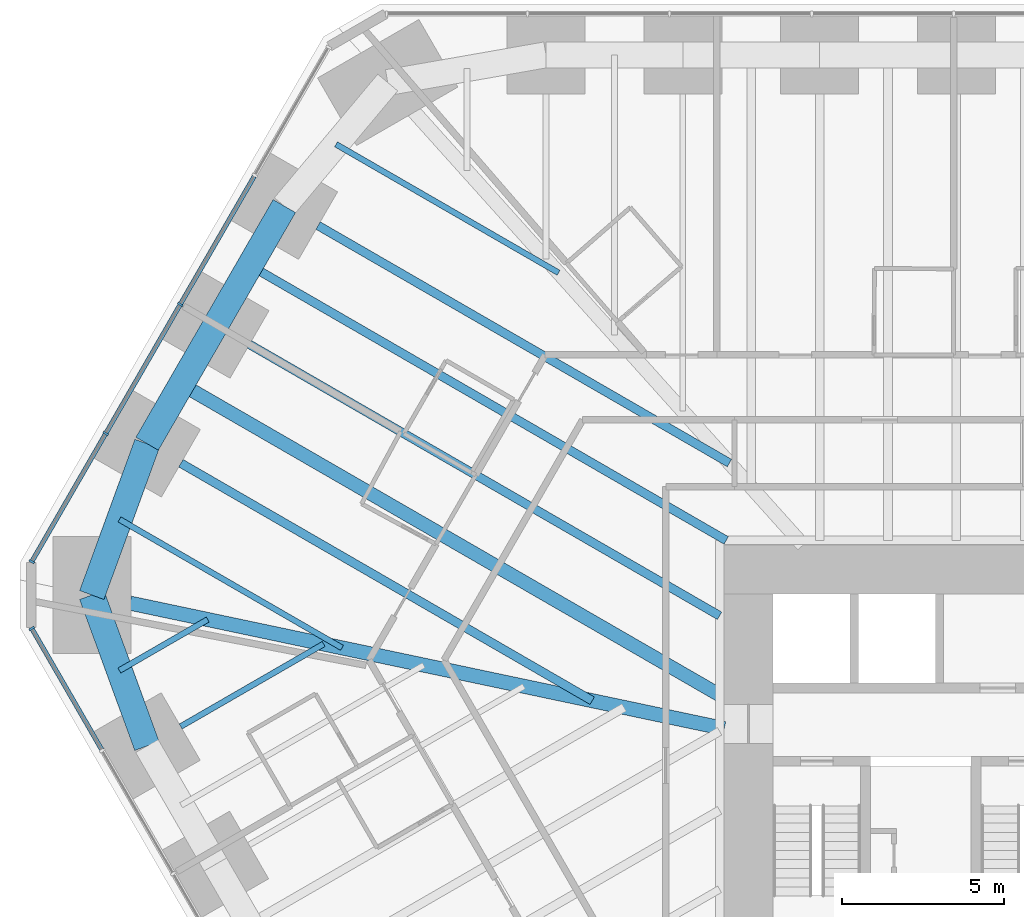
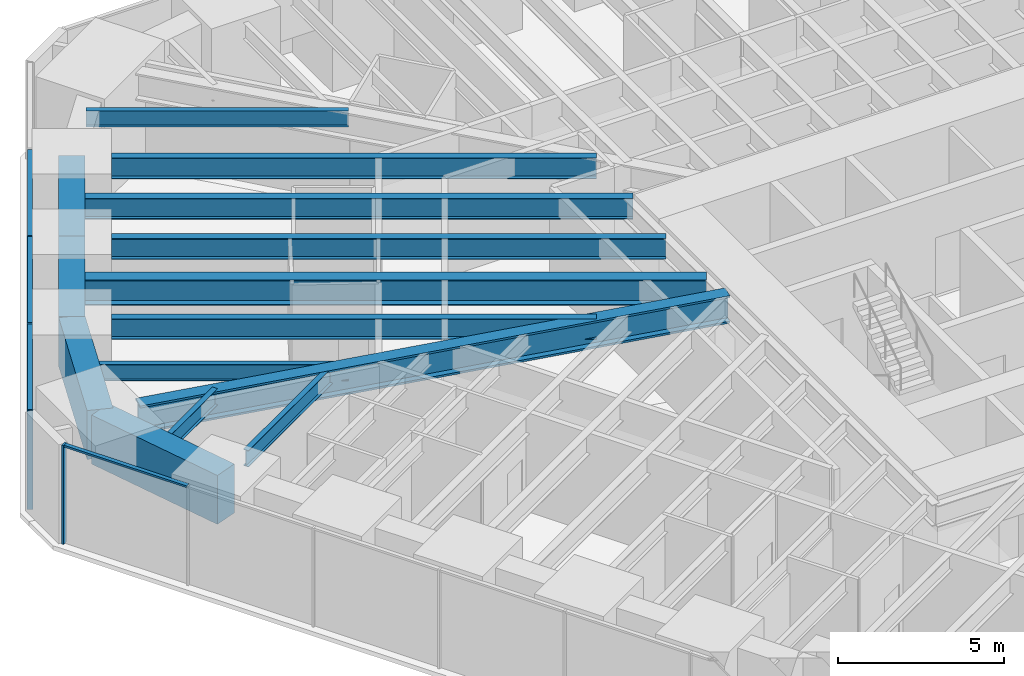
# One storey, part 7 of 17: 14 beams, 8 members, 2 elements without a shape of their own.
"""IFC4 building model written with IfcOpenShell, lengths in metres."""

from ifc_helpers import new_model, si_unit, direction, frame, origin, origin_2d, place, context, subcontext, project, spatial, rectangle, i_section, extrude, material, material_profile, profile_set, type_object, element, aggregate, save


model = new_model("IFC4")

# Units and contexts
model_context = context("Model", 3, precision=1e-05, world=origin(), true_north=direction((0.0, 1.0)))
body_context = subcontext(model_context, "Body", "Model", "MODEL_VIEW")
ifc_project = project(units=[si_unit("LENGTHUNIT", "METRE"), si_unit("AREAUNIT", "SQUARE_METRE"), si_unit("VOLUMEUNIT", "CUBIC_METRE"), si_unit("PLANEANGLEUNIT", "RADIAN"), si_unit("MASSUNIT", "GRAM", prefix="KILO")], contexts=[model_context])

# Site, building, storey
site_placement = place(None, origin())
site = spatial("IfcSite", under=ifc_project, at=site_placement, CompositionType="ELEMENT")
building_placement = place(site_placement, origin())
building = spatial("IfcBuilding", under=site, at=building_placement, Name="Sandreach Pilgrim Tower", CompositionType="ELEMENT")
storey_placement = place(building_placement, frame((0.0, 0.0, 26.800048828125)))
storey = spatial("IfcBuildingStorey", under=building, at=storey_placement, Name="L05", CompositionType="ELEMENT", Elevation=26.800048828125)

# Curtain wall, member
ifc_material_1 = material(Name="Aluminium framed curtain wall", Category="aluminium")
curtain_wall_type = type_object("IfcCurtainWallType", Name="Hostel tower curtain wall", PredefinedType="NOTDEFINED", material=ifc_material_1)
curtain_wall_1_placement = place(storey_placement, origin())
curtain_wall_1 = element("IfcCurtainWall", 1, at=curtain_wall_1_placement, inside=storey, type_object=curtain_wall_type, Name="CW-1 L05 SW", PredefinedType="NOTDEFINED")
ifc_material_2 = material(Name="Aluminium extrusion", Category="aluminium")
ifc_material_profile_1 = material_profile(ifc_material_2, rectangle(XDim=0.06494140625, YDim=0.179931640625, at=origin_2d()), Name="CW-1M 65X180")
ifc_profile_set_1 = profile_set([ifc_material_profile_1], Name="Aluminium extrusion")
member_type_1 = type_object("IfcMemberType", Name="CW-1 mullion", PredefinedType="MULLION", material=ifc_profile_set_1)
member_1_placement = place(storey_placement, frame((-30.56005859375, 5.033935546875, 0.0), z_axis=(0.0, 0.0, 1.0), x_axis=(-0.5, 0.866025403784, 0.0)))
member_1 = element("IfcMember", 2, at=member_1_placement, type_object=member_type_1, Name="CW-1 mullion 10", PredefinedType="MULLION", context=body_context, shape_type="SweptSolid", body=[
    extrude(rectangle(XDim=0.06494140625, YDim=0.179931640625, at=origin_2d()), origin(), (0.0, 0.0, 1.0), 3.639892578125),
])

# Curtain wall, members
curtain_wall_2_placement = place(storey_placement, origin())
curtain_wall_2 = element("IfcCurtainWall", 3, at=curtain_wall_2_placement, inside=storey, type_object=curtain_wall_type, Name="CW-1 L05 NW", PredefinedType="NOTDEFINED")
member_2_placement = place(storey_placement, frame((-30.56005859375, 7.09033203125, 0.0), z_axis=(0.0, 0.0, 1.0), x_axis=(0.5, 0.866025403784, 0.0)))
member_2 = element("IfcMember", 4, at=member_2_placement, type_object=member_type_1, Name="CW-1 mullion 1", PredefinedType="MULLION", context=body_context, shape_type="SweptSolid", body=[
    extrude(rectangle(XDim=0.06494140625, YDim=0.179931640625, at=origin_2d()), origin(), (0.0, 0.0, 1.0), 3.639892578125),
])
member_3_placement = place(storey_placement, frame((-28.283203125, 11.03369140625, 0.0), z_axis=(0.0, 0.0, 1.0), x_axis=(0.5, 0.866025403784, 0.0)))
member_3 = element("IfcMember", 5, at=member_3_placement, type_object=member_type_1, Name="CW-1 mullion 2", PredefinedType="MULLION", context=body_context, shape_type="SweptSolid", body=[
    extrude(rectangle(XDim=0.06494140625, YDim=0.179931640625, at=origin_2d()), origin(), (0.0, 0.0, 1.0), 3.639892578125),
])
member_4_placement = place(storey_placement, frame((-25.990234375, 15.00537109375, 0.0), z_axis=(0.0, 0.0, 1.0), x_axis=(0.5, 0.866025403784, 0.0)))
member_4 = element("IfcMember", 6, at=member_4_placement, type_object=member_type_1, Name="CW-1 mullion 3", PredefinedType="MULLION", context=body_context, shape_type="SweptSolid", body=[
    extrude(rectangle(XDim=0.06494140625, YDim=0.179931640625, at=origin_2d()), origin(), (0.0, 0.0, 1.0), 3.639892578125),
])

# Member
ifc_material_3 = material(Name="Aluminium extrusion", Category="aluminium")
ifc_material_profile_2 = material_profile(ifc_material_3, rectangle(XDim=0.139892578125, YDim=0.070068359375, at=origin_2d()), Name="CW-1T 140X70")
ifc_profile_set_2 = profile_set([ifc_material_profile_2], Name="Aluminium extrusion")
member_type_2 = type_object("IfcMemberType", Name="CW-1 transom", PredefinedType="USERDEFINED", material=ifc_profile_set_2)
member_5_placement = place(storey_placement, frame((-28.40673828125, 1.304443359375, 3.60498046875), z_axis=(-0.499991113271, 0.866030534479, 0.0), x_axis=(-0.866030534479, -0.499991113271, 0.0)))
member_5 = element("IfcMember", 7, at=member_5_placement, type_object=member_type_2, Name="CW-1 head transom 9", ObjectType="TRANSOM", PredefinedType="USERDEFINED", context=body_context, shape_type="SweptSolid", body=[
    extrude(rectangle(XDim=0.139892578125, YDim=0.070068359375, at=origin_2d()), origin(), (0.0, 0.0, 1.0), 4.27392578125),
])

aggregate(curtain_wall_1, [member_1, member_5])

member_6_placement = place(storey_placement, frame((-30.543701171875, 7.118408203125, 3.60498046875), z_axis=(0.499976706761, 0.866038851724, 0.0), x_axis=(-0.866038851724, 0.499976706761, 0.0)))
member_6 = element("IfcMember", 8, at=member_6_placement, type_object=member_type_2, Name="CW-1 head transom 1", ObjectType="TRANSOM", PredefinedType="USERDEFINED", context=body_context, shape_type="SweptSolid", body=[
    extrude(rectangle(XDim=0.139892578125, YDim=0.070068359375, at=origin_2d()), origin(), (0.0, 0.0, 1.0), 4.488525390625),
])

member_7_placement = place(storey_placement, frame((-28.266845703125, 11.06201171875, 3.60498046875), z_axis=(0.500001366228, 0.866024614991, 0.0), x_axis=(-0.866024614991, 0.500001366228, 0.0)))
member_7 = element("IfcMember", 9, at=member_7_placement, type_object=member_type_2, Name="CW-1 head transom 2", ObjectType="TRANSOM", PredefinedType="USERDEFINED", context=body_context, shape_type="SweptSolid", body=[
    extrude(rectangle(XDim=0.139892578125, YDim=0.070068359375, at=origin_2d()), origin(), (0.0, 0.0, 1.0), 4.52099609375),
])

member_8_placement = place(storey_placement, frame((-25.973876953125, 15.03369140625, 3.60498046875), z_axis=(0.500001366228, 0.866024614991, 0.0), x_axis=(-0.866024614991, 0.500001366228, 0.0)))
member_8 = element("IfcMember", 10, at=member_8_placement, type_object=member_type_2, Name="CW-1 head transom 3", ObjectType="TRANSOM", PredefinedType="USERDEFINED", context=body_context, shape_type="SweptSolid", body=[
    extrude(rectangle(XDim=0.139892578125, YDim=0.070068359375, at=origin_2d()), origin(), (0.0, 0.0, 1.0), 4.52099609375),
])

aggregate(curtain_wall_2, [member_2, member_3, member_4, member_6, member_7, member_8])

# Beams
ifc_material_4 = material(Name="Steel ASTM A992 Grade 50", Category="steel")
ifc_material_profile_3 = material_profile(ifc_material_4, i_section(OverallWidth=0.436767578125, OverallDepth=1.010986328125, WebThickness=0.040771484375, FlangeThickness=0.073974609375, at=origin_2d()), Name="W36X529")
ifc_profile_set_3 = profile_set([ifc_material_profile_3], Name="Steel ASTM A992 Grade 50")
beam_type_1 = type_object("IfcBeamType", Name="Corner girder W36X529", PredefinedType="BEAM", material=ifc_profile_set_3)
beam_1_placement = place(storey_placement, frame((-27.53857421875, 5.814208984375, 3.134521484375), z_axis=(0.978429884383, -0.206579189045, 0.0), x_axis=(0.206579189045, 0.978429884383, 0.0)))
element("IfcBeam", 11, at=beam_1_placement, inside=storey, type_object=beam_type_1, Name="BM L05 CG35", PredefinedType="BEAM", context=body_context, shape_type="SweptSolid", body=[
    extrude(i_section(OverallWidth=0.436767578125, OverallDepth=1.010986328125, WebThickness=0.040771484375, FlangeThickness=0.073974609375, at=origin_2d()), origin(), (0.0, 0.0, 1.0), 18.691650390625),
])
ifc_material_5 = material(Name="Steel ASTM A992 Grade 50", Category="steel")
ifc_material_profile_4 = material_profile(ifc_material_5, i_section(OverallWidth=0.1787109375, OverallDepth=0.60205078125, WebThickness=0.010986328125, FlangeThickness=0.014892578125, at=origin_2d()), Name="W24X62")
ifc_profile_set_4 = profile_set([ifc_material_profile_4], Name="Steel ASTM A992 Grade 50")
beam_type_2 = type_object("IfcBeamType", Name="Floor beam W24X62", PredefinedType="BEAM", material=ifc_profile_set_4)
beam_2_placement = place(storey_placement, frame((-25.97705078125, 2.016357421875, 3.3388671875), z_axis=(0.866027897259, 0.49999568115, 0.0), x_axis=(-0.49999568115, 0.866027897259, 0.0)))
element("IfcBeam", 12, at=beam_2_placement, inside=storey, type_object=beam_type_2, Name="BM L05 F34", PredefinedType="BEAM", context=body_context, shape_type="SweptSolid", body=[
    extrude(i_section(OverallWidth=0.1787109375, OverallDepth=0.60205078125, WebThickness=0.010986328125, FlangeThickness=0.014892578125, at=origin_2d()), origin(), (0.0, 0.0, 1.0), 5.0791015625),
])
beam_3_placement = place(storey_placement, frame((-27.864501953125, 3.7392578125, 3.3388671875), z_axis=(0.866023718453, 0.500002919068, 0.0), x_axis=(-0.500002919068, 0.866023718453, 0.0)))
element("IfcBeam", 13, at=beam_3_placement, inside=storey, type_object=beam_type_2, Name="BM L05 FM34", PredefinedType="BEAM", context=body_context, shape_type="SweptSolid", body=[
    extrude(i_section(OverallWidth=0.1787109375, OverallDepth=0.60205078125, WebThickness=0.010986328125, FlangeThickness=0.014892578125, at=origin_2d()), origin(), (0.0, 0.0, 1.0), 3.1396484375),
])
for number, where, z_axis, x_axis, name in (
    (14, (-27.861328125, 8.390380859375, 3.3388671875), (0.866028778003, -0.499994155636, 0.0), (0.499994155636, 0.866028778003, 0.0), "BM L05 FM35"),
    (15, (-21.197021484375, 19.933349609375, 3.3388671875), (0.866028778003, -0.499994155636, 0.0), (0.499994155636, 0.866028778003, 0.0), "BM L05 FM38"),
):
    element("IfcBeam", number, at=place(storey_placement, frame(where, z_axis=z_axis, x_axis=x_axis)), inside=storey, type_object=beam_type_2, Name=name, PredefinedType="BEAM", context=body_context, shape_type="SweptSolid", body=[
        extrude(i_section(OverallWidth=0.1787109375, OverallDepth=0.60205078125, WebThickness=0.010986328125, FlangeThickness=0.014892578125, at=origin_2d()), origin(), (0.0, 0.0, 1.0), 7.90771484375),
    ])
ifc_material_6 = material(Name="Steel ASTM A992 Grade 50", Category="steel")
ifc_material_profile_5 = material_profile(ifc_material_6, i_section(OverallWidth=0.2666015625, OverallDepth=0.761962890625, WebThickness=0.014404296875, FlangeThickness=0.021484375, at=origin_2d()), Name="W30X116")
ifc_profile_set_5 = profile_set([ifc_material_profile_5], Name="Steel ASTM A992 Grade 50")
beam_type_3 = type_object("IfcBeamType", Name="Floor beam W30X116", PredefinedType="BEAM", material=ifc_profile_set_5)
for number, where, z_axis, x_axis, name in (
    (16, (-25.970947265625, 10.118896484375, 3.259033203125), (0.866020355572, -0.500008743658, 0.0), (0.500008743658, 0.866020355572, 0.0), "BM L05 F36"),
    (17, (-21.74853515625, 17.43212890625, 3.259033203125), (0.866020355572, -0.500008743658, 0.0), (0.500008743658, 0.866020355572, 0.0), "BM L05 F38"),
):
    element("IfcBeam", number, at=place(storey_placement, frame(where, z_axis=z_axis, x_axis=x_axis)), inside=storey, type_object=beam_type_3, Name=name, PredefinedType="BEAM", context=body_context, shape_type="SweptSolid", body=[
        extrude(i_section(OverallWidth=0.2666015625, OverallDepth=0.761962890625, WebThickness=0.014404296875, FlangeThickness=0.021484375, at=origin_2d()), origin(), (0.0, 0.0, 1.0), 14.615966796875),
    ])
ifc_material_7 = material(Name="Steel ASTM A992 Grade 50", Category="steel")
ifc_material_profile_6 = material_profile(ifc_material_7, i_section(OverallWidth=0.2666015625, OverallDepth=0.77978515625, WebThickness=0.0166015625, FlangeThickness=0.030029296875, at=origin_2d()), Name="W30X148")
ifc_profile_set_6 = profile_set([ifc_material_profile_6], Name="Steel ASTM A992 Grade 50")
beam_type_4 = type_object("IfcBeamType", Name="Floor beam W30X148", PredefinedType="BEAM", material=ifc_profile_set_6)
beam_4_placement = place(storey_placement, frame((-23.85986328125, 13.775390625, 3.25), z_axis=(0.866031037473, -0.499990242038, 0.0), x_axis=(0.499990242038, 0.866031037473, 0.0)))
element("IfcBeam", 18, at=beam_4_placement, inside=storey, type_object=beam_type_4, Name="BM L05 F37", PredefinedType="BEAM", context=body_context, shape_type="SweptSolid", body=[
    extrude(i_section(OverallWidth=0.2666015625, OverallDepth=0.77978515625, WebThickness=0.0166015625, FlangeThickness=0.030029296875, at=origin_2d()), origin(), (0.0, 0.0, 1.0), 16.704345703125),
])
beam_5_placement = place(storey_placement, frame((-23.843505859375, 16.203857421875, 3.25), z_axis=(0.866027248123, -0.499996805499, 0.0), x_axis=(0.499996805499, 0.866027248123, 0.0)))
element("IfcBeam", 19, at=beam_5_placement, inside=storey, type_object=beam_type_4, Name="BM L05 FM37", PredefinedType="BEAM", context=body_context, shape_type="SweptSolid", body=[
    extrude(i_section(OverallWidth=0.2666015625, OverallDepth=0.77978515625, WebThickness=0.0166015625, FlangeThickness=0.030029296875, at=origin_2d()), origin(), (0.0, 0.0, 1.0), 16.9208984375),
])
ifc_material_8 = material(Name="Steel ASTM A992 Grade 50", Category="steel")
ifc_material_profile_7 = material_profile(ifc_material_8, i_section(OverallWidth=0.419189453125, OverallDepth=0.927001953125, WebThickness=0.019287109375, FlangeThickness=0.031982421875, at=origin_2d()), Name="W36X231")
ifc_profile_set_7 = profile_set([ifc_material_profile_7], Name="Steel ASTM A992 Grade 50")
beam_type_5 = type_object("IfcBeamType", Name="Floor beam W36X231", PredefinedType="BEAM", material=ifc_profile_set_7)
beam_6_placement = place(storey_placement, frame((-25.95458984375, 12.547119140625, 3.176513671875), z_axis=(0.866028474707, -0.499994680968, 0.0), x_axis=(0.499994680968, 0.866028474707, 0.0)))
element("IfcBeam", 20, at=beam_6_placement, inside=storey, type_object=beam_type_5, Name="BM L05 FM36", PredefinedType="BEAM", context=body_context, shape_type="SweptSolid", body=[
    extrude(i_section(OverallWidth=0.419189453125, OverallDepth=0.927001953125, WebThickness=0.019287109375, FlangeThickness=0.031982421875, at=origin_2d()), origin(), (0.0, 0.0, 1.0), 19.123291015625),
])
ifc_material_9 = material(Name="Concrete 10000 psi", Category="concrete")
ifc_material_profile_8 = material_profile(ifc_material_9, rectangle(XDim=0.800048828125, YDim=1.800048828125, at=origin_2d()), Name="RC800X1800")
ifc_profile_set_8 = profile_set([ifc_material_profile_8], Name="Concrete 10000 psi")
beam_type_6 = type_object("IfcBeamType", Name="Spandrel beam RC800X1800", PredefinedType="SPANDREL", material=ifc_profile_set_8)
beam_7_placement = place(storey_placement, frame((-27.016357421875, 1.416259765625, 2.739990234375), z_axis=(-0.342963480301, 0.939348737786, 0.0), x_axis=(-0.939348737786, -0.342963480301, 0.0)))
element("IfcBeam", 21, at=beam_7_placement, inside=storey, type_object=beam_type_6, Name="BM L05 SP34", PredefinedType="SPANDREL", context=body_context, shape_type="SweptSolid", body=[
    extrude(rectangle(XDim=0.800048828125, YDim=1.800048828125, at=origin_2d()), origin(), (0.0, 0.0, 1.0), 4.946044921875),
])
beam_8_placement = place(storey_placement, frame((-28.712646484375, 6.062255859375, 2.739990234375), z_axis=(0.343367552823, 0.939201109278, 0.0), x_axis=(-0.939201109278, 0.343367552823, 0.0)))
element("IfcBeam", 22, at=beam_8_placement, inside=storey, type_object=beam_type_6, Name="BM L05 SP35", PredefinedType="SPANDREL", context=body_context, shape_type="SweptSolid", body=[
    extrude(rectangle(XDim=0.800048828125, YDim=1.800048828125, at=origin_2d()), origin(), (0.0, 0.0, 1.0), 4.9580078125),
])
beam_9_placement = place(storey_placement, frame((-27.01025390625, 10.71875, 2.739990234375), z_axis=(0.500019412692, 0.866014195571, 0.0), x_axis=(-0.866014195571, 0.500019412692, 0.0)))
element("IfcBeam", 23, at=beam_9_placement, inside=storey, type_object=beam_type_6, Name="BM L05 SP36", PredefinedType="SPANDREL", context=body_context, shape_type="SweptSolid", body=[
    extrude(rectangle(XDim=0.800048828125, YDim=1.800048828125, at=origin_2d()), origin(), (0.0, 0.0, 1.0), 4.222412109375),
])
beam_10_placement = place(storey_placement, frame((-24.89892578125, 14.37548828125, 2.739990234375), z_axis=(0.500001084989, 0.866024777365, 0.0), x_axis=(-0.866024777365, 0.500001084989, 0.0)))
element("IfcBeam", 24, at=beam_10_placement, inside=storey, type_object=beam_type_6, Name="BM L05 SP37", PredefinedType="SPANDREL", context=body_context, shape_type="SweptSolid", body=[
    extrude(rectangle(XDim=0.800048828125, YDim=1.800048828125, at=origin_2d()), origin(), (0.0, 0.0, 1.0), 4.22216796875),
])

save(model, "model.ifc")
